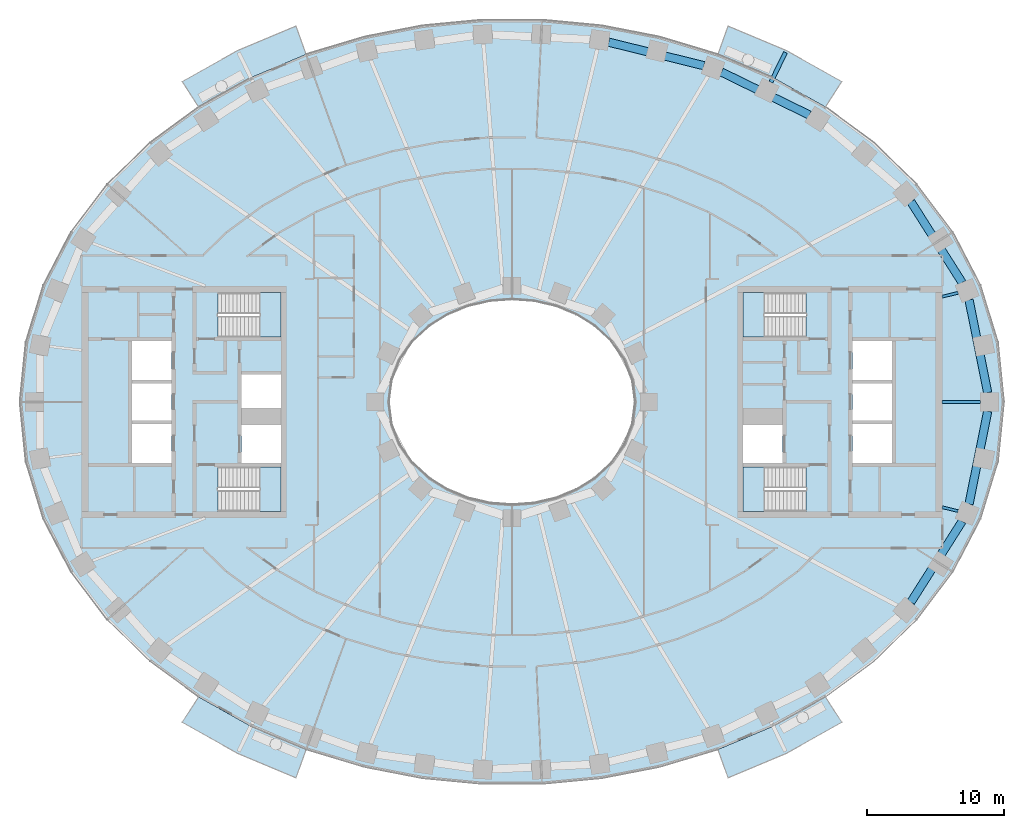
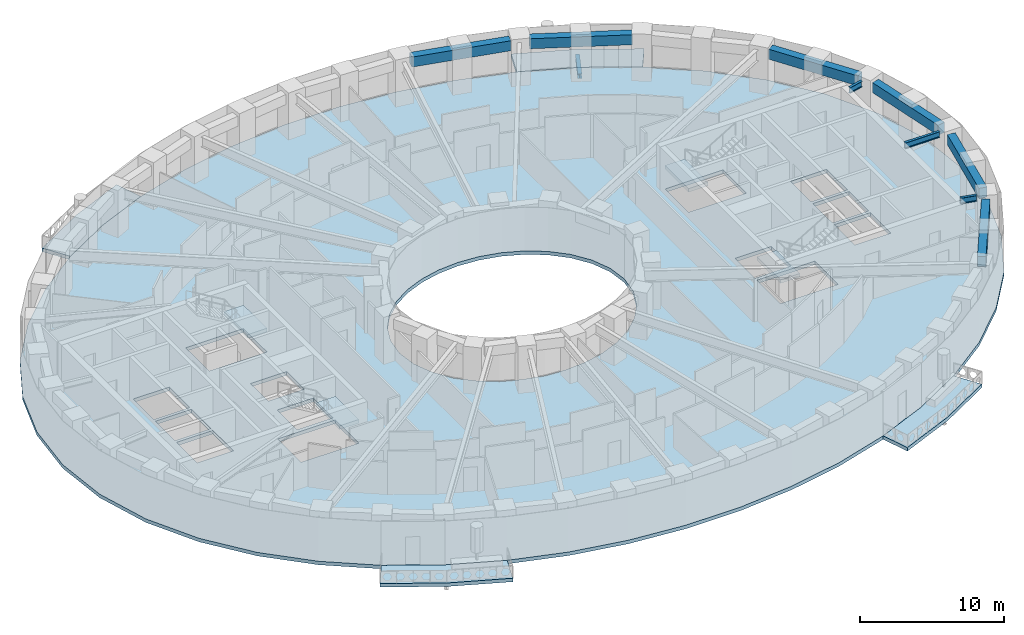
# One storey, part 2 of 16: 10 beams, 9 slabs, 4 elements without a shape of their own.
"""IFC4 building model written with IfcOpenShell, lengths in metres."""

from ifc_helpers import new_model, si_unit, direction, frame, origin, origin_2d, place, context, subcontext, project, spatial, polyline, rectangle, i_section, outline, extrude, material, layer, layer_set, material_profile, profile_set, type_object, element, aggregate, save


model = new_model("IFC4")

# Units and contexts
model_context = context("Model", 3, precision=1e-05, world=origin(), true_north=direction((0.0, 1.0)))
body_context = subcontext(model_context, "Body", "Model", "MODEL_VIEW")
ifc_project = project(units=[si_unit("LENGTHUNIT", "METRE"), si_unit("AREAUNIT", "SQUARE_METRE"), si_unit("VOLUMEUNIT", "CUBIC_METRE"), si_unit("PLANEANGLEUNIT", "RADIAN"), si_unit("MASSUNIT", "GRAM", prefix="KILO")], contexts=[model_context])

# Site, building, storey
site_placement = place(None, origin())
site = spatial("IfcSite", under=ifc_project, at=site_placement, CompositionType="ELEMENT")
building_placement = place(site_placement, origin())
building = spatial("IfcBuilding", under=site, at=building_placement, Name="Noorbagh Ring Tower", CompositionType="ELEMENT")
storey_placement = place(building_placement, frame((0.0, 0.0, 74.5)))
storey = spatial("IfcBuildingStorey", under=building, at=storey_placement, Name="L16", CompositionType="ELEMENT", Elevation=74.5)

# Beams
ifc_material_1 = material(Name="Steel S355", Category="steel")
ifc_material_profile_1 = material_profile(ifc_material_1, i_section(OverallWidth=0.300048828125, OverallDepth=0.39990234375, WebThickness=0.013427734375, FlangeThickness=0.02392578125, FilletRadius=0.027099609375, at=origin_2d()), Name="HEB400")
ifc_profile_set_1 = profile_set([ifc_material_profile_1], Name="Steel S355")
beam_type_1 = type_object("IfcBeamType", Name="STR-BALCONY-BRACKET-HEB400", PredefinedType="BEAM", material=ifc_profile_set_1)
beam_1_placement = place(storey_placement, frame((18.945068359375, 23.396240234375, -0.5), z_axis=(0.439222770869, 0.898378181809, 0.0), x_axis=(-0.898378181809, 0.439222770869, 0.0)))
element("IfcBeam", 1, at=beam_1_placement, inside=storey, type_object=beam_type_1, Name="Balcony bracket beam BN02", PredefinedType="BEAM", context=body_context, shape_type="SweptSolid", body=[
    extrude(i_section(OverallWidth=0.300048828125, OverallDepth=0.39990234375, WebThickness=0.013427734375, FlangeThickness=0.02392578125, FilletRadius=0.027099609375, at=origin_2d()), origin(), (0.0, 0.0, 1.0), 2.425048828125),
])
ifc_material_2 = material(Name="Steel S355", Category="steel")
ifc_material_profile_2 = material_profile(ifc_material_2, i_section(OverallWidth=0.199951171875, OverallDepth=0.5, WebThickness=0.01025390625, FlangeThickness=0.01611328125, FilletRadius=0.02099609375, at=origin_2d()), Name="IPE500")
ifc_profile_set_2 = profile_set([ifc_material_profile_2], Name="Steel S355")
beam_type_2 = type_object("IfcBeamType", Name="STR-RAD-IPE500", PredefinedType="BEAM", material=ifc_profile_set_2)
beam_2_placement = place(storey_placement, frame((34.2646484375, 0.0, 3.449951171875), z_axis=(-1.0, 0.0, 0.0), x_axis=(0.0, -1.0, 0.0)))
element("IfcBeam", 2, at=beam_2_placement, inside=storey, type_object=beam_type_2, Name="L16/bm/RD01", PredefinedType="BEAM", context=body_context, shape_type="SweptSolid", body=[
    extrude(i_section(OverallWidth=0.199951171875, OverallDepth=0.5, WebThickness=0.01025390625, FlangeThickness=0.01611328125, FilletRadius=0.02099609375, at=origin_2d()), origin(), (0.0, 0.0, 1.0), 2.78466796875),
])
for number, where, z_axis, x_axis, name in (
    (3, (32.636962890625, 7.98583984375, 3.449951171875), (-0.971348532858, -0.237659478485, 0.0), (0.237659478485, -0.971348532858, 0.0), "L16/bm/RD03"),
    (4, (32.636962890625, -7.98583984375, 3.449951171875), (-0.971348532858, 0.237659478485, 0.0), (-0.237659478485, -0.971348532858, 0.0), "L16/bm/RD45"),
):
    element("IfcBeam", number, at=place(storey_placement, frame(where, z_axis=z_axis, x_axis=x_axis)), inside=storey, type_object=beam_type_2, Name=name, PredefinedType="BEAM", context=body_context, shape_type="SweptSolid", body=[
        extrude(i_section(OverallWidth=0.199951171875, OverallDepth=0.5, WebThickness=0.01025390625, FlangeThickness=0.01611328125, FilletRadius=0.02099609375, at=origin_2d()), origin(), (0.0, 0.0, 1.0), 1.190673828125),
    ])
ifc_material_3 = material(Name="Concrete C40/50", Category="concrete")
ifc_material_profile_3 = material_profile(ifc_material_3, rectangle(XDim=0.60009765625, YDim=0.85009765625, at=origin_2d()), Name="RC600x850")
ifc_profile_set_3 = profile_set([ifc_material_profile_3], Name="Concrete C40/50")
beam_type_3 = type_object("IfcBeamType", Name="STR-SB-RC600x850-C40-50", PredefinedType="BEAM", material=ifc_profile_set_3)
beam_3_placement = place(storey_placement, frame((34.807861328125, 0.680419921875, 3.27490234375), z_axis=(-0.197227762478, 0.980357694777, 0.0), x_axis=(-0.980357694777, -0.197227762478, 0.0)))
element("IfcBeam", 5, at=beam_3_placement, inside=storey, type_object=beam_type_3, Name="L16/bm/SP01", PredefinedType="BEAM", context=body_context, shape_type="SweptSolid", body=[
    extrude(rectangle(XDim=0.60009765625, YDim=0.85009765625, at=origin_2d()), origin(), (0.0, 0.0, 1.0), 6.92578125),
])
beam_4_placement = place(storey_placement, frame((32.935302734375, 8.733154296875, 3.27490234375), z_axis=(-0.535200543046, 0.844725031429, 0.0), x_axis=(-0.844725031429, -0.535200543046, 0.0)))
element("IfcBeam", 6, at=beam_4_placement, inside=storey, type_object=beam_type_3, Name="L16/bm/SP03", PredefinedType="BEAM", context=body_context, shape_type="SweptSolid", body=[
    extrude(rectangle(XDim=0.60009765625, YDim=0.85009765625, at=origin_2d()), origin(), (0.0, 0.0, 1.0), 7.002685546875),
])
beam_5_placement = place(storey_placement, frame((21.746826171875, 21.000732421875, 3.27490234375), z_axis=(-0.898400530475, 0.43917705637, 0.0), x_axis=(-0.43917705637, -0.898400530475, 0.0)))
element("IfcBeam", 7, at=beam_5_placement, inside=storey, type_object=beam_type_3, Name="L16/bm/SP07", PredefinedType="BEAM", context=body_context, shape_type="SweptSolid", body=[
    extrude(rectangle(XDim=0.60009765625, YDim=0.85009765625, at=origin_2d()), origin(), (0.0, 0.0, 1.0), 7.14892578125),
])
beam_6_placement = place(storey_placement, frame((14.045654296875, 24.604736328125, 3.27490234375), z_axis=(-0.970828401591, 0.239775342069, 0.0), x_axis=(-0.239775342069, -0.970828401591, 0.0)))
element("IfcBeam", 8, at=beam_6_placement, inside=storey, type_object=beam_type_3, Name="L16/bm/SP09", PredefinedType="BEAM", context=body_context, shape_type="SweptSolid", body=[
    extrude(rectangle(XDim=0.60009765625, YDim=0.85009765625, at=origin_2d()), origin(), (0.0, 0.0, 1.0), 7.182373046875),
])
beam_7_placement = place(storey_placement, frame((29.1875, -14.6484375, 3.27490234375), z_axis=(0.535200543046, 0.844725031429, 0.0), x_axis=(-0.844725031429, 0.535200543046, 0.0)))
element("IfcBeam", 9, at=beam_7_placement, inside=storey, type_object=beam_type_3, Name="L16/bm/SP43", PredefinedType="BEAM", context=body_context, shape_type="SweptSolid", body=[
    extrude(rectangle(XDim=0.60009765625, YDim=0.85009765625, at=origin_2d()), origin(), (0.0, 0.0, 1.0), 7.002685546875),
])
beam_8_placement = place(storey_placement, frame((33.44189453125, -7.47021484375, 3.27490234375), z_axis=(0.197227762478, 0.980357694777, 0.0), x_axis=(-0.980357694777, 0.197227762478, 0.0)))
element("IfcBeam", 10, at=beam_8_placement, inside=storey, type_object=beam_type_3, Name="L16/bm/SP45", PredefinedType="BEAM", context=body_context, shape_type="SweptSolid", body=[
    extrude(rectangle(XDim=0.60009765625, YDim=0.85009765625, at=origin_2d()), origin(), (0.0, 0.0, 1.0), 6.92578125),
])

# Stair, slab
ifc_material_4 = material(Name="Concrete C40/50", Category="concrete")
stair_type = type_object("IfcStairType", Name="CORE-STAIR", PredefinedType="HALF_TURN_STAIR", material=ifc_material_4)
stair_1_placement = place(storey_placement, origin())
stair_1 = element("IfcStair", 11, at=stair_1_placement, inside=storey, type_object=stair_type, Name="L16 Exit stair ST1", PredefinedType="HALF_TURN_STAIR")
ifc_material_5 = material(Name="Concrete C40/50", Category="concrete")
ifc_layer_1 = layer(ifc_material_5, 0.300048828125)
ifc_layer_set_1 = layer_set([ifc_layer_1], Name="Concrete C40/50")
slab_type_1 = type_object("IfcSlabType", Name="CORE-STAIR-LANDING", PredefinedType="LANDING", material=ifc_layer_set_1)
slab_1_placement = place(storey_placement, frame((0.0, 0.0, 1.699951171875)))
slab_1 = element("IfcSlab", 12, at=slab_1_placement, type_object=slab_type_1, Name="ST1 landing 1", PredefinedType="LANDING", context=body_context, shape_type="SweptSolid", body=[
    extrude(outline(polyline([(-18.449951171875, 4.75), (-16.89990234375, 4.75), (-16.89990234375, 8.0), (-18.449951171875, 8.0), (-18.449951171875, 4.75)])), origin(), (0.0, 0.0, 1.0), 0.300048828125),
])
aggregate(stair_1, [slab_1])

stair_2_placement = place(storey_placement, origin())
stair_2 = element("IfcStair", 13, at=stair_2_placement, inside=storey, type_object=stair_type, Name="L16 Exit stair ST2", PredefinedType="HALF_TURN_STAIR")
slab_2_placement = place(storey_placement, frame((0.0, 0.0, 1.699951171875)))
slab_2 = element("IfcSlab", 14, at=slab_2_placement, type_object=slab_type_1, Name="ST2 landing 1", PredefinedType="LANDING", context=body_context, shape_type="SweptSolid", body=[
    extrude(outline(polyline([(-18.449951171875, -8.0), (-16.89990234375, -8.0), (-16.89990234375, -4.75), (-18.449951171875, -4.75), (-18.449951171875, -8.0)])), origin(), (0.0, 0.0, 1.0), 0.300048828125),
])
aggregate(stair_2, [slab_2])

stair_3_placement = place(storey_placement, origin())
stair_3 = element("IfcStair", 15, at=stair_3_placement, inside=storey, type_object=stair_type, Name="L16 Exit stair ST3", PredefinedType="HALF_TURN_STAIR")
slab_3_placement = place(storey_placement, frame((0.0, 0.0, 1.699951171875)))
slab_3 = element("IfcSlab", 16, at=slab_3_placement, type_object=slab_type_1, Name="ST3 landing 1", PredefinedType="LANDING", context=body_context, shape_type="SweptSolid", body=[
    extrude(outline(polyline([(18.449951171875, 8.0), (16.89990234375, 8.0), (16.89990234375, 4.75), (18.449951171875, 4.75), (18.449951171875, 8.0)])), origin(), (0.0, 0.0, 1.0), 0.300048828125),
])
aggregate(stair_3, [slab_3])

stair_4_placement = place(storey_placement, origin())
stair_4 = element("IfcStair", 17, at=stair_4_placement, inside=storey, type_object=stair_type, Name="L16 Exit stair ST4", PredefinedType="HALF_TURN_STAIR")
slab_4_placement = place(storey_placement, frame((0.0, 0.0, 1.699951171875)))
slab_4 = element("IfcSlab", 18, at=slab_4_placement, type_object=slab_type_1, Name="ST4 landing 1", PredefinedType="LANDING", context=body_context, shape_type="SweptSolid", body=[
    extrude(outline(polyline([(18.449951171875, -4.75), (16.89990234375, -4.75), (16.89990234375, -8.0), (18.449951171875, -8.0), (18.449951171875, -4.75)])), origin(), (0.0, 0.0, 1.0), 0.300048828125),
])
aggregate(stair_4, [slab_4])

# Slabs
ifc_material_6 = material(Name="Concrete C40/50", Category="concrete")
ifc_layer_2 = layer(ifc_material_6, 0.300048828125)
ifc_layer_set_2 = layer_set([ifc_layer_2], Name="Concrete C40/50")
slab_type_2 = type_object("IfcSlabType", Name="ENV-BALCONY DECK 300", PredefinedType="FLOOR", material=ifc_layer_set_2)
slab_5_placement = place(storey_placement, frame((0.0, 0.0, -0.300048828125)))
element("IfcSlab", 19, at=slab_5_placement, inside=storey, type_object=slab_type_2, Name="Tree balcony deck BN02", PredefinedType="FLOOR", context=body_context, shape_type="SweptSolid", body=[
    extrude(outline(polyline([(24.1279296875, 23.435791015625), (20.076171875, 25.709716796875), (15.810791015625, 27.50341796875), (15.0654296875, 25.430419921875), (19.108154296875, 23.730224609375), (22.9326171875, 21.583740234375), (24.1279296875, 23.435791015625)])), origin(), (0.0, 0.0, 1.0), 0.300048828125),
])
slab_6_placement = place(storey_placement, frame((0.0, 0.0, -0.300048828125)))
element("IfcSlab", 20, at=slab_6_placement, inside=storey, type_object=slab_type_2, Name="Tree balcony deck BN05", PredefinedType="FLOOR", context=body_context, shape_type="SweptSolid", body=[
    extrude(outline(polyline([(-15.810791015625, 27.50341796875), (-20.076171875, 25.709716796875), (-24.1279296875, 23.435791015625), (-22.9326171875, 21.583740234375), (-19.108154296875, 23.730224609375), (-15.0654296875, 25.430419921875), (-15.810791015625, 27.50341796875)])), origin(), (0.0, 0.0, 1.0), 0.300048828125),
])
slab_7_placement = place(storey_placement, frame((0.0, 0.0, -0.300048828125)))
element("IfcSlab", 21, at=slab_7_placement, inside=storey, type_object=slab_type_2, Name="Tree balcony deck BS02", PredefinedType="FLOOR", context=body_context, shape_type="SweptSolid", body=[
    extrude(outline(polyline([(-24.1279296875, -23.435791015625), (-20.076171875, -25.709716796875), (-15.810791015625, -27.50341796875), (-15.0654296875, -25.430419921875), (-19.108154296875, -23.730224609375), (-22.9326171875, -21.583740234375), (-24.1279296875, -23.435791015625)])), origin(), (0.0, 0.0, 1.0), 0.300048828125),
])
slab_8_placement = place(storey_placement, frame((0.0, 0.0, -0.300048828125)))
element("IfcSlab", 22, at=slab_8_placement, inside=storey, type_object=slab_type_2, Name="Tree balcony deck BS05", PredefinedType="FLOOR", context=body_context, shape_type="SweptSolid", body=[
    extrude(outline(polyline([(15.810791015625, -27.50341796875), (20.076171875, -25.709716796875), (24.1279296875, -23.435791015625), (22.9326171875, -21.583740234375), (19.108154296875, -23.730224609375), (15.0654296875, -25.430419921875), (15.810791015625, -27.50341796875)])), origin(), (0.0, 0.0, 1.0), 0.300048828125),
])
ifc_material_7 = material(Name="Concrete C40/50", Category="concrete")
ifc_layer_3 = layer(ifc_material_7, 0.300048828125)
ifc_layer_set_3 = layer_set([ifc_layer_3], Name="Concrete C40/50")
slab_type_3 = type_object("IfcSlabType", Name="STR-FLOOR-DECK-300", PredefinedType="FLOOR", material=ifc_layer_set_3)
slab_9_placement = place(storey_placement, frame((0.0, 0.0, -0.300048828125)))
element("IfcSlab", 23, at=slab_9_placement, inside=storey, type_object=slab_type_3, Name="L16/slab/1", PredefinedType="FLOOR", context=body_context, shape_type="SweptSolid", body=[
    extrude(outline(polyline([(36.0, 0.0), (35.56103515625, 4.358642578125), (34.281005859375, 8.548828125), (32.255126953125, 12.434814453125), (29.607666015625, 15.92822265625), (26.463134765625, 18.983154296875), (22.9326171875, 21.583740234375), (19.108154296875, 23.730224609375), (15.0654296875, 25.430419921875), (10.865234375, 26.6943359375), (6.5595703125, 27.53125), (2.193115234375, 27.947998046875), (-2.193115234375, 27.947998046875), (-6.5595703125, 27.53125), (-10.865234375, 26.6943359375), (-15.0654296875, 25.430419921875), (-19.108154296875, 23.730224609375), (-22.9326171875, 21.583740234375), (-26.463134765625, 18.983154296875), (-29.607666015625, 15.92822265625), (-32.255126953125, 12.434814453125), (-34.281005859375, 8.548828125), (-35.56103515625, 4.358642578125), (-36.0, 0.0), (-35.56103515625, -4.358642578125), (-34.281005859375, -8.548828125), (-32.255126953125, -12.434814453125), (-29.607666015625, -15.92822265625), (-26.463134765625, -18.983154296875), (-22.9326171875, -21.583740234375), (-19.108154296875, -23.730224609375), (-15.0654296875, -25.430419921875), (-10.865234375, -26.6943359375), (-6.5595703125, -27.53125), (-2.193115234375, -27.947998046875), (2.193115234375, -27.947998046875), (6.5595703125, -27.53125), (10.865234375, -26.6943359375), (15.0654296875, -25.430419921875), (19.108154296875, -23.730224609375), (22.9326171875, -21.583740234375), (26.463134765625, -18.983154296875), (29.607666015625, -15.92822265625), (32.255126953125, -12.434814453125), (34.281005859375, -8.548828125), (35.56103515625, -4.358642578125), (36.0, 0.0)]), holes=[polyline([(24.89990234375, -1.60009765625), (27.800048828125, -1.60009765625), (27.800048828125, -4.449951171875), (24.89990234375, -4.449951171875), (24.89990234375, -1.60009765625)]), polyline([(24.89990234375, 1.35009765625), (27.800048828125, 1.35009765625), (27.800048828125, -1.35009765625), (24.89990234375, -1.35009765625), (24.89990234375, 1.35009765625)]), polyline([(24.89990234375, 4.449951171875), (27.800048828125, 4.449951171875), (27.800048828125, 1.60009765625), (24.89990234375, 1.60009765625), (24.89990234375, 4.449951171875)]), polyline([(21.529541015625, -4.75), (21.529541015625, -8.0), (16.89990234375, -8.0), (16.89990234375, -4.75), (21.529541015625, -4.75)]), polyline([(21.529541015625, 4.75), (16.89990234375, 4.75), (16.89990234375, 8.0), (21.529541015625, 8.0), (21.529541015625, 4.75)]), polyline([(16.89990234375, -1.699951171875), (19.800048828125, -1.699951171875), (19.800048828125, -4.449951171875), (16.89990234375, -4.449951171875), (16.89990234375, -1.699951171875)]), polyline([(4.697509765625, -6.3974609375), (3.196533203125, -7.010986328125), (1.6171875, -7.3779296875), (0.0, -7.5), (-1.6171875, -7.3779296875), (-3.196533203125, -7.010986328125), (-4.697509765625, -6.3974609375), (-6.071044921875, -5.53662109375), (-7.2587890625, -4.43408203125), (-8.1904296875, -3.10888671875), (-8.79150390625, -1.605224609375), (-9.0, 0.0), (-8.79150390625, 1.605224609375), (-8.1904296875, 3.10888671875), (-7.2587890625, 4.43408203125), (-6.071044921875, 5.53662109375), (-4.697509765625, 6.3974609375), (-3.196533203125, 7.010986328125), (-1.6171875, 7.3779296875), (0.0, 7.5), (1.6171875, 7.3779296875), (3.196533203125, 7.010986328125), (4.697509765625, 6.3974609375), (6.071044921875, 5.53662109375), (7.2587890625, 4.43408203125), (8.1904296875, 3.10888671875), (8.79150390625, 1.605224609375), (9.0, 0.0), (8.79150390625, -1.605224609375), (8.1904296875, -3.10888671875), (7.2587890625, -4.43408203125), (6.071044921875, -5.53662109375), (4.697509765625, -6.3974609375)]), polyline([(-21.529541015625, -8.0), (-21.529541015625, -4.75), (-16.89990234375, -4.75), (-16.89990234375, -8.0), (-21.529541015625, -8.0)]), polyline([(-21.529541015625, 8.0), (-16.89990234375, 8.0), (-16.89990234375, 4.75), (-21.529541015625, 4.75), (-21.529541015625, 8.0)]), polyline([(-16.89990234375, -4.449951171875), (-19.800048828125, -4.449951171875), (-19.800048828125, -1.699951171875), (-16.89990234375, -1.699951171875), (-16.89990234375, -4.449951171875)]), polyline([(-16.89990234375, -0.449951171875), (-19.800048828125, -0.449951171875), (-19.800048828125, 2.0), (-16.89990234375, 2.0), (-16.89990234375, -0.449951171875)]), polyline([(-24.89990234375, -4.449951171875), (-27.800048828125, -4.449951171875), (-27.800048828125, -1.60009765625), (-24.89990234375, -1.60009765625), (-24.89990234375, -4.449951171875)]), polyline([(-24.89990234375, -1.35009765625), (-27.800048828125, -1.35009765625), (-27.800048828125, 1.35009765625), (-24.89990234375, 1.35009765625), (-24.89990234375, -1.35009765625)]), polyline([(-24.89990234375, 1.60009765625), (-27.800048828125, 1.60009765625), (-27.800048828125, 4.449951171875), (-24.89990234375, 4.449951171875), (-24.89990234375, 1.60009765625)])]), origin(), (0.0, 0.0, 1.0), 0.300048828125),
])

save(model, "model.ifc")
